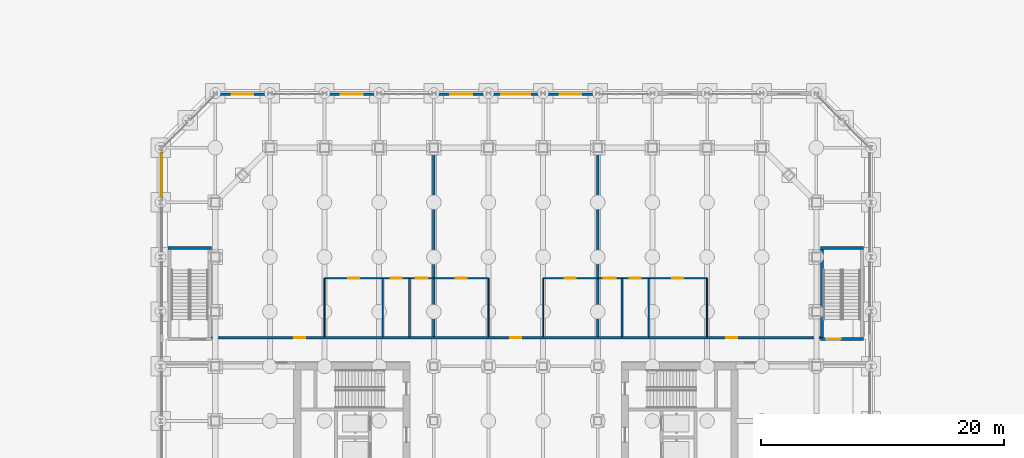
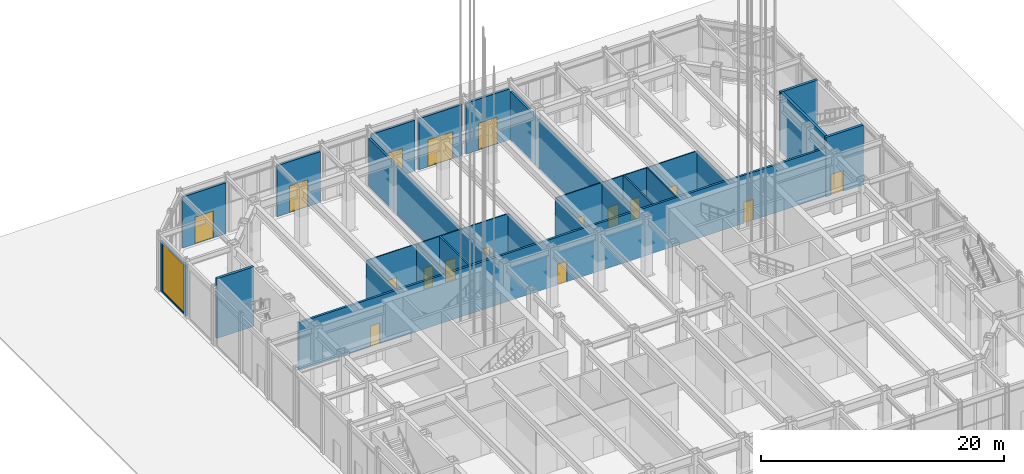
# One storey, part 21 of 39: 25 walls, 17 doors, 1 window, 18 openings.
"""IFC4 building model written with IfcOpenShell, lengths in metres."""

from ifc_helpers import new_model, si_unit, direction, frame, frame_2d, origin, place, context, subcontext, project, spatial, rectangle, extrude, material, layer, layer_set, type_object, element, fill, save


model = new_model("IFC4")

# Units and contexts
model_context = context("Model", 3, precision=1e-05, world=origin(), true_north=direction((0.0, 1.0)))
body_context = subcontext(model_context, "Body", "Model", "MODEL_VIEW")
ifc_project = project(units=[si_unit("LENGTHUNIT", "METRE"), si_unit("AREAUNIT", "SQUARE_METRE"), si_unit("VOLUMEUNIT", "CUBIC_METRE"), si_unit("PLANEANGLEUNIT", "RADIAN"), si_unit("MASSUNIT", "GRAM", prefix="KILO")], contexts=[model_context])

# Site, building, storey
site_placement = place(None, origin())
site = spatial("IfcSite", under=ifc_project, at=site_placement, CompositionType="ELEMENT")
building_placement = place(site_placement, origin())
building = spatial("IfcBuilding", under=site, at=building_placement, Name="Msasa Ring Tower", CompositionType="ELEMENT")
storey_placement = place(building_placement, origin())
storey = spatial("IfcBuildingStorey", under=building, at=storey_placement, Name="L00", CompositionType="ELEMENT", Elevation=0.0)

# Wall, opening, door
ifc_material_1 = material(Name="Terracotta rainscreen on blockwork", Category="masonry")
ifc_layer_1 = layer(ifc_material_1, 0.199951171875)
ifc_layer_set_1 = layer_set([ifc_layer_1], Name="FW2 TERRACOTTA PODIUM BAY WALL 200")
wall_type_1 = type_object("IfcWallType", Name="FW2 TERRACOTTA PODIUM BAY WALL 200", PredefinedType="SOLIDWALL", material=ifc_layer_set_1)
wall_1_placement = place(storey_placement, frame((-24.562255859375, 29.14990234375, 0.0), z_axis=(0.0, 0.0, 1.0), x_axis=(1.0, 0.0, 0.0)))
wall_1 = element("IfcWall", 1, at=wall_1_placement, inside=storey, type_object=wall_type_1, Name="Podium bay wall N L00 26", PredefinedType="SOLIDWALL", context=body_context, shape_type="SweptSolid", body=[
    extrude(rectangle(XDim=4.12451171875, YDim=0.199951171875, at=frame_2d((2.062255859375, 0.0))), origin(), (0.0, 0.0, 1.0), 5.1328125),
])
opening_1_placement = place(wall_1_placement, frame((1.162353515625, 0.0, 0.0)))
opening_1 = element("IfcOpeningElement", 2, at=opening_1_placement, cuts=wall_1, Name="Opening L00-001", PredefinedType="OPENING", context=body_context, shape_type="SweptSolid", body=[
    extrude(rectangle(XDim=1.800048828125, YDim=2.699951171875, at=frame_2d((0.89990234375, 1.35009765625))), frame((0.0, 0.10986328125, 0.0), z_axis=(0.0, -1.0, 0.0), x_axis=(1.0, 0.0, 0.0)), (0.0, 0.0, 1.0), 0.219970703125),
])
ifc_material_2 = material(Name="Aluminium frame with clear glass", Category="aluminium")
door_type_1 = type_object("IfcDoorType", Name="ED6 RETAIL ENTRANCE DOOR 1800x2700", OperationType="DOUBLE_DOOR_SINGLE_SWING", PredefinedType="DOOR", material=ifc_material_2)
door_1_placement = place(opening_1_placement, origin())
door_1 = element("IfcDoor", 3, at=door_1_placement, inside=storey, type_object=door_type_1, Name="Retail entrance door N L00", OperationType="DOUBLE_DOOR_SINGLE_SWING", OverallHeight=2.699951171875, OverallWidth=1.800048828125, PredefinedType="DOOR", context=body_context, shape_type="SweptSolid", body=[
    extrude(rectangle(XDim=1.800048828125, YDim=2.699951171875, at=frame_2d((0.89990234375, 1.35009765625))), frame((0.0, 0.02490234375, 0.0), z_axis=(0.0, -1.0, 0.0), x_axis=(1.0, 0.0, 0.0)), (0.0, 0.0, 1.0), 0.050048828125),
])
fill(opening_1, door_1)

wall_2_placement = place(storey_placement, frame((-15.5625, 29.14990234375, 0.0), z_axis=(0.0, 0.0, 1.0), x_axis=(1.0, 0.0, 0.0)))
wall_2 = element("IfcWall", 4, at=wall_2_placement, inside=storey, type_object=wall_type_1, Name="Podium bay wall N L00 28", PredefinedType="SOLIDWALL", context=body_context, shape_type="SweptSolid", body=[
    extrude(rectangle(XDim=4.125, YDim=0.199951171875, at=frame_2d((2.0625, 0.0))), origin(), (0.0, 0.0, 1.0), 5.1328125),
])
opening_2_placement = place(wall_2_placement, frame((1.162353515625, 0.0, 0.0)))
opening_2 = element("IfcOpeningElement", 5, at=opening_2_placement, cuts=wall_2, Name="Opening L00-002", PredefinedType="OPENING", context=body_context, shape_type="SweptSolid", body=[
    extrude(rectangle(XDim=1.800048828125, YDim=2.699951171875, at=frame_2d((0.89990234375, 1.35009765625))), frame((0.0, 0.10986328125, 0.0), z_axis=(0.0, -1.0, 0.0), x_axis=(1.0, 0.0, 0.0)), (0.0, 0.0, 1.0), 0.219970703125),
])
door_2_placement = place(opening_2_placement, origin())
door_2 = element("IfcDoor", 6, at=door_2_placement, inside=storey, type_object=door_type_1, Name="Retail entrance door N L00", OperationType="DOUBLE_DOOR_SINGLE_SWING", OverallHeight=2.699951171875, OverallWidth=1.800048828125, PredefinedType="DOOR", context=body_context, shape_type="SweptSolid", body=[
    extrude(rectangle(XDim=1.800048828125, YDim=2.699951171875, at=frame_2d((0.89990234375, 1.35009765625))), frame((0.0, 0.02490234375, 0.0), z_axis=(0.0, -1.0, 0.0), x_axis=(1.0, 0.0, 0.0)), (0.0, 0.0, 1.0), 0.050048828125),
])
fill(opening_2, door_2)

wall_3_placement = place(storey_placement, frame((-6.5625, 29.14990234375, 0.0), z_axis=(0.0, 0.0, 1.0), x_axis=(1.0, 0.0, 0.0)))
wall_3 = element("IfcWall", 7, at=wall_3_placement, inside=storey, type_object=wall_type_1, Name="Podium bay wall N L00 30", PredefinedType="SOLIDWALL", context=body_context, shape_type="SweptSolid", body=[
    extrude(rectangle(XDim=4.124755859375, YDim=0.199951171875, at=frame_2d((2.0625, 0.0))), origin(), (0.0, 0.0, 1.0), 5.1328125),
])
opening_3_placement = place(wall_3_placement, frame((1.162353515625, 0.0, 0.0)))
opening_3 = element("IfcOpeningElement", 8, at=opening_3_placement, cuts=wall_3, Name="Opening L00-003", PredefinedType="OPENING", context=body_context, shape_type="SweptSolid", body=[
    extrude(rectangle(XDim=1.800048828125, YDim=2.699951171875, at=frame_2d((0.89990234375, 1.35009765625))), frame((0.0, 0.10986328125, 0.0), z_axis=(0.0, -1.0, 0.0), x_axis=(1.0, 0.0, 0.0)), (0.0, 0.0, 1.0), 0.219970703125),
])
ifc_material_3 = material(Name="Aluminium frame with clear glass", Category="aluminium")
door_type_2 = type_object("IfcDoorType", Name="ED11 EXTERNAL LOBBY ENTRANCE DOOR 1800x2700", OperationType="DOUBLE_DOOR_SINGLE_SWING", PredefinedType="DOOR", material=ifc_material_3)
door_3_placement = place(opening_3_placement, origin())
door_3 = element("IfcDoor", 9, at=door_3_placement, inside=storey, type_object=door_type_2, Name="External lobby entrance door N L00", OperationType="DOUBLE_DOOR_SINGLE_SWING", OverallHeight=2.699951171875, OverallWidth=1.800048828125, PredefinedType="DOOR", context=body_context, shape_type="SweptSolid", body=[
    extrude(rectangle(XDim=1.800048828125, YDim=2.699951171875, at=frame_2d((0.89990234375, 1.35009765625))), frame((0.0, 0.02490234375, 0.0), z_axis=(0.0, -1.0, 0.0), x_axis=(1.0, 0.0, 0.0)), (0.0, 0.0, 1.0), 0.050048828125),
])
fill(opening_3, door_3)

wall_4_placement = place(storey_placement, frame((-2.062255859375, 29.14990234375, 0.0), z_axis=(0.0, 0.0, 1.0), x_axis=(1.0, 0.0, 0.0)))
wall_4 = element("IfcWall", 10, at=wall_4_placement, inside=storey, type_object=wall_type_1, Name="Podium bay wall N L00 31", PredefinedType="SOLIDWALL", context=body_context, shape_type="SweptSolid", body=[
    extrude(rectangle(XDim=4.12451171875, YDim=0.199951171875, at=frame_2d((2.062255859375, 0.0))), origin(), (0.0, 0.0, 1.0), 5.1328125),
])
opening_4_placement = place(wall_4_placement, frame((0.8623046875, 0.0, 0.0)))
opening_4 = element("IfcOpeningElement", 11, at=opening_4_placement, cuts=wall_4, Name="Opening L00-004", PredefinedType="OPENING", context=body_context, shape_type="SweptSolid", body=[
    extrude(rectangle(XDim=2.39990234375, YDim=2.699951171875, at=frame_2d((1.199951171875, 1.35009765625))), frame((0.0, 0.10986328125, 0.0), z_axis=(0.0, -1.0, 0.0), x_axis=(1.0, 0.0, 0.0)), (0.0, 0.0, 1.0), 0.219970703125),
])
ifc_material_4 = material(Name="Aluminium frame with clear glass", Category="aluminium")
door_type_3 = type_object("IfcDoorType", Name="ED5 MAIN ENTRANCE DOOR 2400x2700", OperationType="DOUBLE_DOOR_SINGLE_SWING", PredefinedType="DOOR", material=ifc_material_4)
door_4_placement = place(opening_4_placement, origin())
door_4 = element("IfcDoor", 12, at=door_4_placement, inside=storey, type_object=door_type_3, Name="Main entrance door N L00", OperationType="DOUBLE_DOOR_SINGLE_SWING", OverallHeight=2.699951171875, OverallWidth=2.39990234375, PredefinedType="DOOR", context=body_context, shape_type="SweptSolid", body=[
    extrude(rectangle(XDim=2.39990234375, YDim=2.699951171875, at=frame_2d((1.199951171875, 1.35009765625))), frame((0.0, 0.02490234375, 0.0), z_axis=(0.0, -1.0, 0.0), x_axis=(1.0, 0.0, 0.0)), (0.0, 0.0, 1.0), 0.050048828125),
])
fill(opening_4, door_4)

wall_5_placement = place(storey_placement, frame((2.437744140625, 29.14990234375, 0.0), z_axis=(0.0, 0.0, 1.0), x_axis=(1.0, 0.0, 0.0)))
wall_5 = element("IfcWall", 13, at=wall_5_placement, inside=storey, type_object=wall_type_1, Name="Podium bay wall N L00 32", PredefinedType="SOLIDWALL", context=body_context, shape_type="SweptSolid", body=[
    extrude(rectangle(XDim=4.124755859375, YDim=0.199951171875, at=frame_2d((2.0625, 0.0))), origin(), (0.0, 0.0, 1.0), 5.1328125),
])
opening_5_placement = place(wall_5_placement, frame((1.162353515625, 0.0, 0.0)))
opening_5 = element("IfcOpeningElement", 14, at=opening_5_placement, cuts=wall_5, Name="Opening L00-005", PredefinedType="OPENING", context=body_context, shape_type="SweptSolid", body=[
    extrude(rectangle(XDim=1.800048828125, YDim=2.699951171875, at=frame_2d((0.89990234375, 1.35009765625))), frame((0.0, 0.10986328125, 0.0), z_axis=(0.0, -1.0, 0.0), x_axis=(1.0, 0.0, 0.0)), (0.0, 0.0, 1.0), 0.219970703125),
])
door_5_placement = place(opening_5_placement, origin())
door_5 = element("IfcDoor", 15, at=door_5_placement, inside=storey, type_object=door_type_2, Name="External lobby entrance door N L00", OperationType="DOUBLE_DOOR_SINGLE_SWING", OverallHeight=2.699951171875, OverallWidth=1.800048828125, PredefinedType="DOOR", context=body_context, shape_type="SweptSolid", body=[
    extrude(rectangle(XDim=1.800048828125, YDim=2.699951171875, at=frame_2d((0.89990234375, 1.35009765625))), frame((0.0, 0.02490234375, 0.0), z_axis=(0.0, -1.0, 0.0), x_axis=(1.0, 0.0, 0.0)), (0.0, 0.0, 1.0), 0.050048828125),
])
fill(opening_5, door_5)

# Wall, opening, window
wall_6_placement = place(storey_placement, frame((-29.14990234375, 20.437744140625, 0.0), z_axis=(0.0, 0.0, 1.0), x_axis=(0.0, 1.0, 0.0)))
wall_6 = element("IfcWall", 16, at=wall_6_placement, inside=storey, type_object=wall_type_1, Name="Podium bay wall W L00 49", PredefinedType="SOLIDWALL", context=body_context, shape_type="SweptSolid", body=[
    extrude(rectangle(XDim=4.12451171875, YDim=0.199951171875, at=frame_2d((2.062255859375, 0.0))), origin(), (0.0, 0.0, 1.0), 5.1328125),
])
opening_6_placement = place(wall_6_placement, frame((0.26220703125, 0.0, 0.14990234375)))
opening_6 = element("IfcOpeningElement", 17, at=opening_6_placement, cuts=wall_6, Name="Opening SF1", PredefinedType="OPENING", context=body_context, shape_type="SweptSolid", body=[
    extrude(rectangle(XDim=3.60009765625, YDim=4.8330078125, at=frame_2d((1.800048828125, 2.41650390625))), frame((0.0, 0.10986328125, 0.0), z_axis=(0.0, -1.0, 0.0), x_axis=(1.0, 0.0, 0.0)), (0.0, 0.0, 1.0), 0.219970703125),
])
ifc_material_5 = material(Name="Aluminium frame with clear glass", Category="aluminium")
window_type = type_object("IfcWindowType", Name="SF1 SHOPFRONT GLAZING 3600x4833", PartitioningType="SINGLE_PANEL", PredefinedType="WINDOW", material=ifc_material_5)
window_placement = place(opening_6_placement, origin())
window = element("IfcWindow", 18, at=window_placement, inside=storey, type_object=window_type, Name="Shopfront glazing W L00 49", OverallHeight=4.8330078125, OverallWidth=3.60009765625, PartitioningType="SINGLE_PANEL", PredefinedType="WINDOW", context=body_context, shape_type="SweptSolid", body=[
    extrude(rectangle(XDim=3.60009765625, YDim=4.8330078125, at=frame_2d((1.800048828125, 2.41650390625))), frame((0.0, 0.030029296875, 0.0), z_axis=(0.0, -1.0, 0.0), x_axis=(1.0, 0.0, 0.0)), (0.0, 0.0, 1.0), 0.06005859375),
])
fill(opening_6, window)

# Wall, openings, doors
ifc_material_6 = material(Name="Concrete blockwork", Category="masonry")
ifc_layer_2 = layer(ifc_material_6, 0.199951171875)
ifc_layer_set_2 = layer_set([ifc_layer_2], Name="PT1 CORRIDOR WALL 200")
wall_type_2 = type_object("IfcWallType", Name="PT1 CORRIDOR WALL 200", PredefinedType="PARTITIONING", material=ifc_layer_set_2)
wall_7_placement = place(storey_placement, frame((-25.074951171875, 9.10009765625, 0.0), z_axis=(0.0, 0.0, 1.0), x_axis=(1.0, 0.0, 0.0)))
wall_7 = element("IfcWall", 19, at=wall_7_placement, inside=storey, type_object=wall_type_2, Name="Corridor wall L00-CORRN1", PredefinedType="PARTITIONING", context=body_context, shape_type="SweptSolid", body=[
    extrude(rectangle(XDim=50.14990234375, YDim=0.199951171875, at=frame_2d((25.074951171875, 0.0))), origin(), (0.0, 0.0, 1.0), 4.8291015625),
])
opening_7_placement = place(wall_7_placement, frame((6.85009765625, 0.0, 0.0)))
opening_7 = element("IfcOpeningElement", 20, at=opening_7_placement, cuts=wall_7, Name="Opening L00-016", PredefinedType="OPENING", context=body_context, shape_type="SweptSolid", body=[
    extrude(rectangle(XDim=0.89990234375, YDim=2.10009765625, at=frame_2d((0.449951171875, 1.050048828125))), frame((0.0, 0.10986328125, 0.0), z_axis=(0.0, -1.0, 0.0), x_axis=(1.0, 0.0, 0.0)), (0.0, 0.0, 1.0), 0.219970703125),
])
opening_8_placement = place(wall_7_placement, frame((24.625, 0.0, 0.0)))
opening_8 = element("IfcOpeningElement", 21, at=opening_8_placement, cuts=wall_7, Name="Opening L00-017", PredefinedType="OPENING", context=body_context, shape_type="SweptSolid", body=[
    extrude(rectangle(XDim=0.89990234375, YDim=2.10009765625, at=frame_2d((0.449951171875, 1.050048828125))), frame((0.0, 0.10986328125, 0.0), z_axis=(0.0, -1.0, 0.0), x_axis=(1.0, 0.0, 0.0)), (0.0, 0.0, 1.0), 0.219970703125),
])
opening_9_placement = place(wall_7_placement, frame((42.39990234375, 0.0, 0.0)))
opening_9 = element("IfcOpeningElement", 22, at=opening_9_placement, cuts=wall_7, Name="Opening L00-018", PredefinedType="OPENING", context=body_context, shape_type="SweptSolid", body=[
    extrude(rectangle(XDim=0.89990234375, YDim=2.10009765625, at=frame_2d((0.449951171875, 1.050048828125))), frame((0.0, 0.10986328125, 0.0), z_axis=(0.0, -1.0, 0.0), x_axis=(1.0, 0.0, 0.0)), (0.0, 0.0, 1.0), 0.219970703125),
])
ifc_material_7 = material(Name="Timber door leaf in a steel frame", Category="steel")
door_type_4 = type_object("IfcDoorType", Name="D1 SINGLE DOOR TO CORRIDOR 900x2100", OperationType="SINGLE_SWING_LEFT", PredefinedType="DOOR", material=ifc_material_7)
door_6_placement = place(opening_7_placement, origin())
door_6 = element("IfcDoor", 23, at=door_6_placement, inside=storey, type_object=door_type_4, Name="Door L00-PDN0", OperationType="SINGLE_SWING_LEFT", OverallHeight=2.10009765625, OverallWidth=0.89990234375, PredefinedType="DOOR", context=body_context, shape_type="SweptSolid", body=[
    extrude(rectangle(XDim=0.89990234375, YDim=2.10009765625, at=frame_2d((0.449951171875, 1.050048828125))), frame((0.0, 0.02490234375, 0.0), z_axis=(0.0, -1.0, 0.0), x_axis=(1.0, 0.0, 0.0)), (0.0, 0.0, 1.0), 0.050048828125),
])
fill(opening_7, door_6)
door_7_placement = place(opening_8_placement, origin())
door_7 = element("IfcDoor", 24, at=door_7_placement, inside=storey, type_object=door_type_4, Name="Door L00-PDN1", OperationType="SINGLE_SWING_LEFT", OverallHeight=2.10009765625, OverallWidth=0.89990234375, PredefinedType="DOOR", context=body_context, shape_type="SweptSolid", body=[
    extrude(rectangle(XDim=0.89990234375, YDim=2.10009765625, at=frame_2d((0.449951171875, 1.050048828125))), frame((0.0, 0.02490234375, 0.0), z_axis=(0.0, -1.0, 0.0), x_axis=(1.0, 0.0, 0.0)), (0.0, 0.0, 1.0), 0.050048828125),
])
fill(opening_8, door_7)
door_8_placement = place(opening_9_placement, origin())
door_8 = element("IfcDoor", 25, at=door_8_placement, inside=storey, type_object=door_type_4, Name="Door L00-PDN2", OperationType="SINGLE_SWING_RIGHT", OverallHeight=2.10009765625, OverallWidth=0.89990234375, PredefinedType="DOOR", context=body_context, shape_type="SweptSolid", body=[
    extrude(rectangle(XDim=0.89990234375, YDim=2.10009765625, at=frame_2d((0.449951171875, 1.050048828125))), frame((0.0, 0.02490234375, 0.0), z_axis=(0.0, -1.0, 0.0), x_axis=(1.0, 0.0, 0.0)), (0.0, 0.0, 1.0), 0.050048828125),
])
fill(opening_9, door_8)

ifc_material_8 = material(Name="Gypsum board on steel studs", Category="steel")
ifc_layer_3 = layer(ifc_material_8, 0.10009765625)
ifc_layer_set_3 = layer_set([ifc_layer_3], Name="PT2 STUD PARTITION 100")
wall_type_3 = type_object("IfcWallType", Name="PT2 STUD PARTITION 100", PredefinedType="PARTITIONING", material=ifc_layer_set_3)
wall_8_placement = place(storey_placement, frame((-15.75, 14.0, 0.0), z_axis=(0.0, 0.0, 1.0), x_axis=(1.0, 0.0, 0.0)))
wall_8 = element("IfcWall", 26, at=wall_8_placement, inside=storey, type_object=wall_type_3, Name="Partition L00-PDN0BY", PredefinedType="PARTITIONING", context=body_context, shape_type="SweptSolid", body=[
    extrude(rectangle(XDim=9.0, YDim=0.10009765625, at=frame_2d((4.5, 0.0))), origin(), (0.0, 0.0, 1.0), 4.8291015625),
])
opening_10_placement = place(wall_8_placement, frame((1.949951171875, 0.0, 0.0)))
opening_10 = element("IfcOpeningElement", 27, at=opening_10_placement, cuts=wall_8, Name="Opening L00-008", PredefinedType="OPENING", context=body_context, shape_type="SweptSolid", body=[
    extrude(rectangle(XDim=0.89990234375, YDim=2.10009765625, at=frame_2d((0.449951171875, 1.050048828125))), frame((0.0, 0.06005859375, 0.0), z_axis=(0.0, -1.0, 0.0), x_axis=(1.0, 0.0, 0.0)), (0.0, 0.0, 1.0), 0.1201171875),
])
opening_11_placement = place(wall_8_placement, frame((5.449951171875, 0.0, 0.0)))
opening_11 = element("IfcOpeningElement", 28, at=opening_11_placement, cuts=wall_8, Name="Opening L00-009", PredefinedType="OPENING", context=body_context, shape_type="SweptSolid", body=[
    extrude(rectangle(XDim=0.89990234375, YDim=2.10009765625, at=frame_2d((0.449951171875, 1.050048828125))), frame((0.0, 0.06005859375, 0.0), z_axis=(0.0, -1.0, 0.0), x_axis=(1.0, 0.0, 0.0)), (0.0, 0.0, 1.0), 0.1201171875),
])
opening_12_placement = place(wall_8_placement, frame((7.5, 0.0, 0.0)))
opening_12 = element("IfcOpeningElement", 29, at=opening_12_placement, cuts=wall_8, Name="Opening L00-010", PredefinedType="OPENING", context=body_context, shape_type="SweptSolid", body=[
    extrude(rectangle(XDim=1.0, YDim=2.10009765625, at=frame_2d((0.5, 1.050048828125))), frame((0.0, 0.06005859375, 0.0), z_axis=(0.0, -1.0, 0.0), x_axis=(1.0, 0.0, 0.0)), (0.0, 0.0, 1.0), 0.1201171875),
])
ifc_material_9 = material(Name="Timber door leaf in a steel frame", Category="steel")
door_type_5 = type_object("IfcDoorType", Name="D12 WC DOOR 1000x2100", OperationType="SINGLE_SWING_LEFT", PredefinedType="DOOR", material=ifc_material_9)
door_9_placement = place(opening_12_placement, origin())
door_9 = element("IfcDoor", 30, at=door_9_placement, inside=storey, type_object=door_type_5, Name="Door L00-PDN0B2", OperationType="SINGLE_SWING_RIGHT", OverallHeight=2.10009765625, OverallWidth=1.0, PredefinedType="DOOR", context=body_context, shape_type="SweptSolid", body=[
    extrude(rectangle(XDim=1.0, YDim=2.10009765625, at=frame_2d((0.5, 1.050048828125))), frame((0.0, 0.02490234375, 0.0), z_axis=(0.0, -1.0, 0.0), x_axis=(1.0, 0.0, 0.0)), (0.0, 0.0, 1.0), 0.050048828125),
])
fill(opening_12, door_9)
ifc_material_10 = material(Name="Timber door leaf in a steel frame", Category="steel")
door_type_6 = type_object("IfcDoorType", Name="D22 INTERNAL HALL DOOR 900x2100", OperationType="SINGLE_SWING_LEFT", PredefinedType="DOOR", material=ifc_material_10)
door_10_placement = place(opening_10_placement, origin())
door_10 = element("IfcDoor", 31, at=door_10_placement, inside=storey, type_object=door_type_6, Name="Door L00-PDN0B0", OperationType="SINGLE_SWING_LEFT", OverallHeight=2.10009765625, OverallWidth=0.89990234375, PredefinedType="DOOR", context=body_context, shape_type="SweptSolid", body=[
    extrude(rectangle(XDim=0.89990234375, YDim=2.10009765625, at=frame_2d((0.449951171875, 1.050048828125))), frame((0.0, 0.02490234375, 0.0), z_axis=(0.0, -1.0, 0.0), x_axis=(1.0, 0.0, 0.0)), (0.0, 0.0, 1.0), 0.050048828125),
])
fill(opening_10, door_10)
door_11_placement = place(opening_11_placement, origin())
door_11 = element("IfcDoor", 32, at=door_11_placement, inside=storey, type_object=door_type_6, Name="Door L00-PDN0B1", OperationType="SINGLE_SWING_RIGHT", OverallHeight=2.10009765625, OverallWidth=0.89990234375, PredefinedType="DOOR", context=body_context, shape_type="SweptSolid", body=[
    extrude(rectangle(XDim=0.89990234375, YDim=2.10009765625, at=frame_2d((0.449951171875, 1.050048828125))), frame((0.0, 0.02490234375, 0.0), z_axis=(0.0, -1.0, 0.0), x_axis=(1.0, 0.0, 0.0)), (0.0, 0.0, 1.0), 0.050048828125),
])
fill(opening_11, door_11)

# Walls
for number, where, z_axis, x_axis, name in (
    (33, (-15.75, 9.199951171875, 0.0), (0.0, 0.0, 1.0), (0.0, 1.0, 0.0), "Partition L00-PDN0BX-15.75"),
    (34, (-10.949951171875, 9.199951171875, 0.0), (0.0, 0.0, 1.0), (0.0, 1.0, 0.0), "Partition L00-PDN0BX-10.95"),
):
    element("IfcWall", number, at=place(storey_placement, frame(where, z_axis=z_axis, x_axis=x_axis)), inside=storey, type_object=wall_type_3, Name=name, PredefinedType="PARTITIONING", context=body_context, shape_type="SweptSolid", body=[
        extrude(rectangle(XDim=4.800048828125, YDim=0.10009765625, at=frame_2d((2.39990234375, 0.0))), origin(), (0.0, 0.0, 1.0), 4.8291015625),
    ])

# Wall, opening, door
wall_9_placement = place(storey_placement, frame((-6.75, 14.0, 0.0), z_axis=(0.0, 0.0, 1.0), x_axis=(1.0, 0.0, 0.0)))
wall_9 = element("IfcWall", 35, at=wall_9_placement, inside=storey, type_object=wall_type_3, Name="Partition L00-PDN1BY", PredefinedType="PARTITIONING", context=body_context, shape_type="SweptSolid", body=[
    extrude(rectangle(XDim=4.5, YDim=0.10009765625, at=frame_2d((2.25, 0.0))), origin(), (0.0, 0.0, 1.0), 4.8291015625),
])
opening_13_placement = place(wall_9_placement, frame((1.800048828125, 0.0, 0.0)))
opening_13 = element("IfcOpeningElement", 36, at=opening_13_placement, cuts=wall_9, Name="Opening L00-011", PredefinedType="OPENING", context=body_context, shape_type="SweptSolid", body=[
    extrude(rectangle(XDim=0.89990234375, YDim=2.10009765625, at=frame_2d((0.449951171875, 1.050048828125))), frame((0.0, 0.06005859375, 0.0), z_axis=(0.0, -1.0, 0.0), x_axis=(1.0, 0.0, 0.0)), (0.0, 0.0, 1.0), 0.1201171875),
])
door_12_placement = place(opening_13_placement, origin())
door_12 = element("IfcDoor", 37, at=door_12_placement, inside=storey, type_object=door_type_6, Name="Door L00-PDN1B0", OperationType="SINGLE_SWING_LEFT", OverallHeight=2.10009765625, OverallWidth=0.89990234375, PredefinedType="DOOR", context=body_context, shape_type="SweptSolid", body=[
    extrude(rectangle(XDim=0.89990234375, YDim=2.10009765625, at=frame_2d((0.449951171875, 1.050048828125))), frame((0.0, 0.02490234375, 0.0), z_axis=(0.0, -1.0, 0.0), x_axis=(1.0, 0.0, 0.0)), (0.0, 0.0, 1.0), 0.050048828125),
])
fill(opening_13, door_12)

wall_10_placement = place(storey_placement, frame((2.25, 14.0, 0.0), z_axis=(0.0, 0.0, 1.0), x_axis=(1.0, 0.0, 0.0)))
wall_10 = element("IfcWall", 38, at=wall_10_placement, inside=storey, type_object=wall_type_3, Name="Partition L00-PDN1BY1", PredefinedType="PARTITIONING", context=body_context, shape_type="SweptSolid", body=[
    extrude(rectangle(XDim=4.5, YDim=0.10009765625, at=frame_2d((2.25, 0.0))), origin(), (0.0, 0.0, 1.0), 4.8291015625),
])
opening_14_placement = place(wall_10_placement, frame((1.800048828125, 0.0, 0.0)))
opening_14 = element("IfcOpeningElement", 39, at=opening_14_placement, cuts=wall_10, Name="Opening L00-012", PredefinedType="OPENING", context=body_context, shape_type="SweptSolid", body=[
    extrude(rectangle(XDim=0.89990234375, YDim=2.10009765625, at=frame_2d((0.449951171875, 1.050048828125))), frame((0.0, 0.06005859375, 0.0), z_axis=(0.0, -1.0, 0.0), x_axis=(1.0, 0.0, 0.0)), (0.0, 0.0, 1.0), 0.1201171875),
])
door_13_placement = place(opening_14_placement, origin())
door_13 = element("IfcDoor", 40, at=door_13_placement, inside=storey, type_object=door_type_6, Name="Door L00-PDN1B1", OperationType="SINGLE_SWING_LEFT", OverallHeight=2.10009765625, OverallWidth=0.89990234375, PredefinedType="DOOR", context=body_context, shape_type="SweptSolid", body=[
    extrude(rectangle(XDim=0.89990234375, YDim=2.10009765625, at=frame_2d((0.449951171875, 1.050048828125))), frame((0.0, 0.02490234375, 0.0), z_axis=(0.0, -1.0, 0.0), x_axis=(1.0, 0.0, 0.0)), (0.0, 0.0, 1.0), 0.050048828125),
])
fill(opening_14, door_13)

# Walls
for number, where, z_axis, x_axis, name in (
    (41, (-2.25, 9.199951171875, 0.0), (0.0, 0.0, 1.0), (0.0, 1.0, 0.0), "Partition L00-PDN1BX-2.25"),
    (42, (2.25, 9.199951171875, 0.0), (0.0, 0.0, 1.0), (0.0, 1.0, 0.0), "Partition L00-PDN1BX+2.25"),
):
    element("IfcWall", number, at=place(storey_placement, frame(where, z_axis=z_axis, x_axis=x_axis)), inside=storey, type_object=wall_type_3, Name=name, PredefinedType="PARTITIONING", context=body_context, shape_type="SweptSolid", body=[
        extrude(rectangle(XDim=4.800048828125, YDim=0.10009765625, at=frame_2d((2.39990234375, 0.0))), origin(), (0.0, 0.0, 1.0), 4.8291015625),
    ])

# Wall, openings, doors
wall_11_placement = place(storey_placement, frame((6.75, 14.0, 0.0), z_axis=(0.0, 0.0, 1.0), x_axis=(1.0, 0.0, 0.0)))
wall_11 = element("IfcWall", 43, at=wall_11_placement, inside=storey, type_object=wall_type_3, Name="Partition L00-PDN2BY", PredefinedType="PARTITIONING", context=body_context, shape_type="SweptSolid", body=[
    extrude(rectangle(XDim=9.0, YDim=0.10009765625, at=frame_2d((4.5, 0.0))), origin(), (0.0, 0.0, 1.0), 4.8291015625),
])
opening_15_placement = place(wall_11_placement, frame((6.14990234375, 0.0, 0.0)))
opening_15 = element("IfcOpeningElement", 44, at=opening_15_placement, cuts=wall_11, Name="Opening L00-015", PredefinedType="OPENING", context=body_context, shape_type="SweptSolid", body=[
    extrude(rectangle(XDim=0.89990234375, YDim=2.10009765625, at=frame_2d((0.449951171875, 1.050048828125))), frame((0.0, 0.06005859375, 0.0), z_axis=(0.0, -1.0, 0.0), x_axis=(1.0, 0.0, 0.0)), (0.0, 0.0, 1.0), 0.1201171875),
])
opening_16_placement = place(wall_11_placement, frame((2.64990234375, 0.0, 0.0)))
opening_16 = element("IfcOpeningElement", 45, at=opening_16_placement, cuts=wall_11, Name="Opening L00-014", PredefinedType="OPENING", context=body_context, shape_type="SweptSolid", body=[
    extrude(rectangle(XDim=0.89990234375, YDim=2.10009765625, at=frame_2d((0.449951171875, 1.050048828125))), frame((0.0, 0.06005859375, 0.0), z_axis=(0.0, -1.0, 0.0), x_axis=(1.0, 0.0, 0.0)), (0.0, 0.0, 1.0), 0.1201171875),
])
opening_17_placement = place(wall_11_placement, frame((0.5, 0.0, 0.0)))
opening_17 = element("IfcOpeningElement", 46, at=opening_17_placement, cuts=wall_11, Name="Opening L00-013", PredefinedType="OPENING", context=body_context, shape_type="SweptSolid", body=[
    extrude(rectangle(XDim=1.0, YDim=2.10009765625, at=frame_2d((0.5, 1.050048828125))), frame((0.0, 0.06005859375, 0.0), z_axis=(0.0, -1.0, 0.0), x_axis=(1.0, 0.0, 0.0)), (0.0, 0.0, 1.0), 0.1201171875),
])
door_14_placement = place(opening_17_placement, origin())
door_14 = element("IfcDoor", 47, at=door_14_placement, inside=storey, type_object=door_type_5, Name="Door L00-PDN2B2", OperationType="SINGLE_SWING_LEFT", OverallHeight=2.10009765625, OverallWidth=1.0, PredefinedType="DOOR", context=body_context, shape_type="SweptSolid", body=[
    extrude(rectangle(XDim=1.0, YDim=2.10009765625, at=frame_2d((0.5, 1.050048828125))), frame((0.0, 0.02490234375, 0.0), z_axis=(0.0, -1.0, 0.0), x_axis=(1.0, 0.0, 0.0)), (0.0, 0.0, 1.0), 0.050048828125),
])
fill(opening_17, door_14)
door_15_placement = place(opening_15_placement, origin())
door_15 = element("IfcDoor", 48, at=door_15_placement, inside=storey, type_object=door_type_6, Name="Door L00-PDN2B0", OperationType="SINGLE_SWING_RIGHT", OverallHeight=2.10009765625, OverallWidth=0.89990234375, PredefinedType="DOOR", context=body_context, shape_type="SweptSolid", body=[
    extrude(rectangle(XDim=0.89990234375, YDim=2.10009765625, at=frame_2d((0.449951171875, 1.050048828125))), frame((0.0, 0.02490234375, 0.0), z_axis=(0.0, -1.0, 0.0), x_axis=(1.0, 0.0, 0.0)), (0.0, 0.0, 1.0), 0.050048828125),
])
fill(opening_15, door_15)
door_16_placement = place(opening_16_placement, origin())
door_16 = element("IfcDoor", 49, at=door_16_placement, inside=storey, type_object=door_type_6, Name="Door L00-PDN2B1", OperationType="SINGLE_SWING_LEFT", OverallHeight=2.10009765625, OverallWidth=0.89990234375, PredefinedType="DOOR", context=body_context, shape_type="SweptSolid", body=[
    extrude(rectangle(XDim=0.89990234375, YDim=2.10009765625, at=frame_2d((0.449951171875, 1.050048828125))), frame((0.0, 0.02490234375, 0.0), z_axis=(0.0, -1.0, 0.0), x_axis=(1.0, 0.0, 0.0)), (0.0, 0.0, 1.0), 0.050048828125),
])
fill(opening_16, door_16)

# Walls
for number, where, z_axis, x_axis, name in (
    (50, (10.949951171875, 9.199951171875, 0.0), (0.0, 0.0, 1.0), (0.0, 1.0, 0.0), "Partition L00-PDN2BX+10.95"),
    (51, (15.75, 9.199951171875, 0.0), (0.0, 0.0, 1.0), (0.0, 1.0, 0.0), "Partition L00-PDN2BX+15.75"),
):
    element("IfcWall", number, at=place(storey_placement, frame(where, z_axis=z_axis, x_axis=x_axis)), inside=storey, type_object=wall_type_3, Name=name, PredefinedType="PARTITIONING", context=body_context, shape_type="SweptSolid", body=[
        extrude(rectangle(XDim=4.800048828125, YDim=0.10009765625, at=frame_2d((2.39990234375, 0.0))), origin(), (0.0, 0.0, 1.0), 4.8291015625),
    ])
ifc_material_11 = material(Name="Dense concrete blockwork, plastered both faces", Category="masonry")
ifc_layer_4 = layer(ifc_material_11, 0.25)
ifc_layer_set_4 = layer_set([ifc_layer_4], Name="PT3 APARTMENT SEPARATING WALL 250")
wall_type_4 = type_object("IfcWallType", Name="PT3 APARTMENT SEPARATING WALL 250", PredefinedType="PARTITIONING", material=ifc_layer_set_4)
for number, where, z_axis, x_axis, name in (
    (52, (-6.75, 9.199951171875, 0.0), (0.0, 0.0, 1.0), (0.0, 1.0, 0.0), "Party wall L00-PWN-6.75"),
    (53, (6.75, 9.199951171875, 0.0), (0.0, 0.0, 1.0), (0.0, 1.0, 0.0), "Party wall L00-PWN+6.75"),
):
    element("IfcWall", number, at=place(storey_placement, frame(where, z_axis=z_axis, x_axis=x_axis)), inside=storey, type_object=wall_type_4, Name=name, PredefinedType="PARTITIONING", context=body_context, shape_type="SweptSolid", body=[
        extrude(rectangle(XDim=19.888916015625, YDim=0.199951171875, at=frame_2d((9.9443359375, 0.0))), origin(), (0.0, 0.0, 1.0), 4.8291015625),
    ])
ifc_material_12 = material(Name="Moisture-resistant board on steel studs with a concealed cistern and pipe void, tiled", Category="steel")
ifc_layer_5 = layer(ifc_material_12, 0.14990234375)
ifc_layer_set_5 = layer_set([ifc_layer_5], Name="PT4 BATHROOM WET WALL 150")
wall_type_5 = type_object("IfcWallType", Name="PT4 BATHROOM WET WALL 150", PredefinedType="PARTITIONING", material=ifc_layer_set_5)
for number, where, z_axis, x_axis, name in (
    (54, (-8.75, 9.199951171875, 0.0), (0.0, 0.0, 1.0), (0.0, 1.0, 0.0), "Partition L00-PDN0BX-8.75"),
    (55, (8.75, 9.199951171875, 0.0), (0.0, 0.0, 1.0), (0.0, 1.0, 0.0), "Partition L00-PDN2BX+8.75"),
):
    element("IfcWall", number, at=place(storey_placement, frame(where, z_axis=z_axis, x_axis=x_axis)), inside=storey, type_object=wall_type_5, Name=name, PredefinedType="PARTITIONING", context=body_context, shape_type="SweptSolid", body=[
        extrude(rectangle(XDim=4.800048828125, YDim=0.14990234375, at=frame_2d((2.39990234375, 0.0))), origin(), (0.0, 0.0, 1.0), 4.8291015625),
    ])

# Wall, opening, door
ifc_material_13 = material(Name="Concrete C60/75", Category="concrete")
ifc_layer_6 = layer(ifc_material_13, 0.25)
ifc_layer_set_6 = layer_set([ifc_layer_6], Name="SW1 STAIR WALL 250")
wall_type_6 = type_object("IfcWallType", Name="SW1 STAIR WALL 250", PredefinedType="SHEAR", material=ifc_layer_set_6)
wall_12_placement = place(storey_placement, frame((25.074951171875, 9.0, 0.0), z_axis=(0.0, 0.0, 1.0), x_axis=(1.0, 0.0, 0.0)))
wall_12 = element("IfcWall", 56, at=wall_12_placement, inside=storey, type_object=wall_type_6, Name="Podium stair EN wall S L00", PredefinedType="SHEAR", context=body_context, shape_type="SweptSolid", body=[
    extrude(rectangle(XDim=3.550048828125, YDim=0.25, at=frame_2d((1.77490234375, 0.0))), origin(), (0.0, 0.0, 1.0), 6.0),
])
opening_18_placement = place(wall_12_placement, frame((0.47509765625, 0.0, 0.0)))
opening_18 = element("IfcOpeningElement", 57, at=opening_18_placement, cuts=wall_12, Name="Opening L00-020", PredefinedType="OPENING", context=body_context, shape_type="SweptSolid", body=[
    extrude(rectangle(XDim=1.199951171875, YDim=2.10009765625, at=frame_2d((0.60009765625, 1.050048828125))), frame((0.0, 0.135009765625, 0.0), z_axis=(0.0, -1.0, 0.0), x_axis=(1.0, 0.0, 0.0)), (0.0, 0.0, 1.0), 0.27001953125),
])
ifc_material_14 = material(Name="Timber door leaf in a steel frame", Category="steel")
door_type_7 = type_object("IfcDoorType", Name="D7 WIDE STAIR DOOR 1200x2100", OperationType="SINGLE_SWING_LEFT", PredefinedType="DOOR", material=ifc_material_14)
door_17_placement = place(opening_18_placement, origin())
door_17 = element("IfcDoor", 58, at=door_17_placement, inside=storey, type_object=door_type_7, Name="Door L00-PSTEN", OperationType="SINGLE_SWING_LEFT", OverallHeight=2.10009765625, OverallWidth=1.199951171875, PredefinedType="DOOR", context=body_context, shape_type="SweptSolid", body=[
    extrude(rectangle(XDim=1.199951171875, YDim=2.10009765625, at=frame_2d((0.60009765625, 1.050048828125))), frame((0.0, 0.02490234375, 0.0), z_axis=(0.0, -1.0, 0.0), x_axis=(1.0, 0.0, 0.0)), (0.0, 0.0, 1.0), 0.050048828125),
])
fill(opening_18, door_17)

# Walls
wall_13_placement = place(storey_placement, frame((25.074951171875, 16.5, 0.0), z_axis=(0.0, 0.0, 1.0), x_axis=(1.0, 0.0, 0.0)))
element("IfcWall", 59, at=wall_13_placement, inside=storey, type_object=wall_type_6, Name="Podium stair EN wall N L00", PredefinedType="SHEAR", context=body_context, shape_type="SweptSolid", body=[
    extrude(rectangle(XDim=3.550048828125, YDim=0.25, at=frame_2d((1.77490234375, 0.0))), origin(), (0.0, 0.0, 1.0), 6.0),
])
wall_14_placement = place(storey_placement, frame((25.199951171875, 9.125, 0.0), z_axis=(0.0, 0.0, 1.0), x_axis=(0.0, 1.0, 0.0)))
element("IfcWall", 60, at=wall_14_placement, inside=storey, type_object=wall_type_6, Name="Podium stair EN wall W L00", PredefinedType="SHEAR", context=body_context, shape_type="SweptSolid", body=[
    extrude(rectangle(XDim=7.25, YDim=0.25, at=frame_2d((3.625, 0.0))), origin(), (0.0, 0.0, 1.0), 6.0),
])
wall_15_placement = place(storey_placement, frame((-28.625, 16.5, 0.0), z_axis=(0.0, 0.0, 1.0), x_axis=(1.0, 0.0, 0.0)))
element("IfcWall", 61, at=wall_15_placement, inside=storey, type_object=wall_type_6, Name="Podium stair WN wall N L00", PredefinedType="SHEAR", context=body_context, shape_type="SweptSolid", body=[
    extrude(rectangle(XDim=3.550048828125, YDim=0.25, at=frame_2d((1.77490234375, 0.0))), origin(), (0.0, 0.0, 1.0), 6.0),
])

save(model, "model.ifc")
